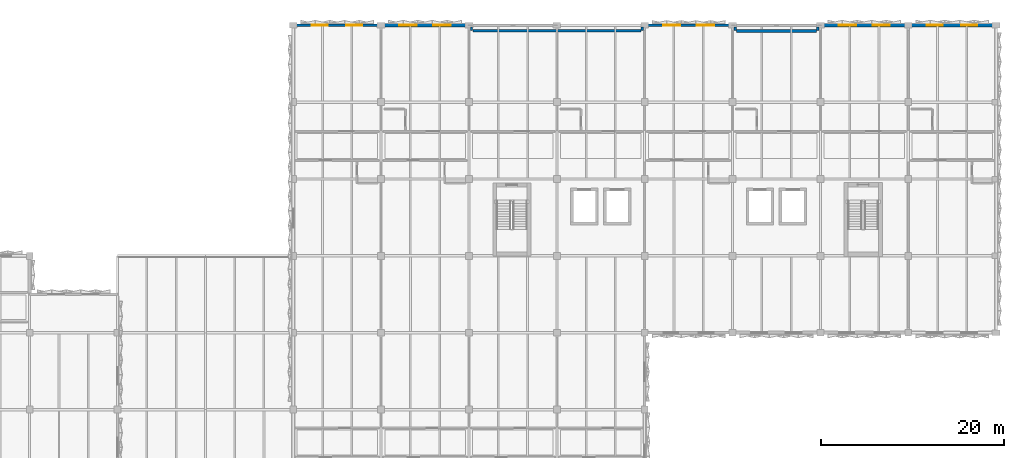
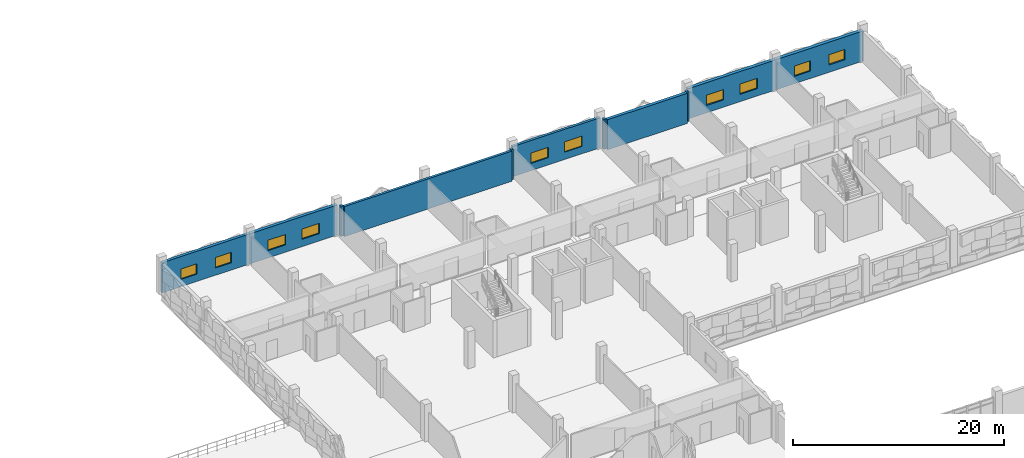
# One storey, part 67 of 86: 11 walls, 10 windows, 10 openings.
"""IFC4 building model written with IfcOpenShell, lengths in metres."""

from ifc_helpers import new_model, si_unit, direction, frame, frame_2d, origin, place, context, subcontext, project, spatial, rectangle, extrude, material, layer, layer_set, type_object, element, fill, save


model = new_model("IFC4")

# Units and contexts
model_context = context("Model", 3, precision=1e-05, world=origin(), true_north=direction((0.0, 1.0)))
body_context = subcontext(model_context, "Body", "Model", "MODEL_VIEW")
ifc_project = project(units=[si_unit("LENGTHUNIT", "METRE"), si_unit("AREAUNIT", "SQUARE_METRE"), si_unit("VOLUMEUNIT", "CUBIC_METRE"), si_unit("PLANEANGLEUNIT", "RADIAN"), si_unit("MASSUNIT", "GRAM", prefix="KILO")], contexts=[model_context])

# Site, building, storey
site_placement = place(None, origin())
site = spatial("IfcSite", under=ifc_project, at=site_placement, CompositionType="ELEMENT")
building_placement = place(site_placement, origin())
building = spatial("IfcBuilding", under=site, at=building_placement, Name="Oolite Switchyard Hospital", CompositionType="ELEMENT")
storey_placement = place(building_placement, frame((0.0, 0.0, 13.5)))
storey = spatial("IfcBuildingStorey", under=building, at=storey_placement, Name="L03", CompositionType="ELEMENT", Elevation=13.5)

# Walls
ifc_material_1 = material(Name="Precast oolitic limestone architectural concrete C40/50", Category="masonry")
ifc_layer_1 = layer(ifc_material_1, 0.260009765625)
ifc_layer_set_1 = layer_set([ifc_layer_1], Name="WAL-EXT-260")
wall_type_1 = type_object("IfcWallType", Name="WAL-EXT-260", PredefinedType="SOLIDWALL", material=ifc_layer_set_1)
for number, where, z_axis, x_axis, name in (
    (1, (153.8798828125, 134.199951171875, 0.0), (0.0, 0.0, 1.0), (0.0, -1.0, 0.0), "L03 Brace Alcove Cheek Wall 212"),
    (2, (172.52001953125, 134.199951171875, 0.0), (0.0, 0.0, 1.0), (0.0, -1.0, 0.0), "L03 Brace Alcove Cheek Wall 213"),
):
    element("IfcWall", number, at=place(storey_placement, frame(where, z_axis=z_axis, x_axis=x_axis)), inside=storey, type_object=wall_type_1, Name=name, PredefinedType="SOLIDWALL", context=body_context, shape_type="SweptSolid", body=[
        extrude(rectangle(XDim=0.35986328125, YDim=0.260009765625, at=frame_2d((0.179931640625, 0.0))), origin(), (0.0, 0.0, 1.0), 3.489990234375),
    ])
wall_1_placement = place(storey_placement, frame((154.02001953125, 133.780029296875, 0.0), z_axis=(0.0, 0.0, 1.0), x_axis=(1.0, 0.0, 0.0)))
element("IfcWall", 3, at=wall_1_placement, inside=storey, type_object=wall_type_1, Name="L03 Exterior Spandrel Wall 214", PredefinedType="SOLIDWALL", context=body_context, shape_type="SweptSolid", body=[
    extrude(rectangle(XDim=18.35986328125, YDim=0.260009765625, at=frame_2d((9.179931640625, 0.0))), origin(), (0.0, 0.0, 1.0), 3.489990234375),
])
for number, where, z_axis, x_axis, name in (
    (4, (182.679931640625, 134.199951171875, 0.0), (0.0, 0.0, 1.0), (0.0, -1.0, 0.0), "L03 Brace Alcove Cheek Wall 216"),
    (5, (191.719970703125, 134.199951171875, 0.0), (0.0, 0.0, 1.0), (0.0, -1.0, 0.0), "L03 Brace Alcove Cheek Wall 217"),
):
    element("IfcWall", number, at=place(storey_placement, frame(where, z_axis=z_axis, x_axis=x_axis)), inside=storey, type_object=wall_type_1, Name=name, PredefinedType="SOLIDWALL", context=body_context, shape_type="SweptSolid", body=[
        extrude(rectangle(XDim=0.35986328125, YDim=0.260009765625, at=frame_2d((0.179931640625, 0.0))), origin(), (0.0, 0.0, 1.0), 3.489990234375),
    ])

# Wall, openings, windows
ifc_layer_2 = layer(ifc_material_1, 0.280029296875)
ifc_layer_set_2 = layer_set([ifc_layer_2], Name="WAL-EXT-280")
wall_type_2 = type_object("IfcWallType", Name="WAL-EXT-280", PredefinedType="SOLIDWALL", material=ifc_layer_set_2)
wall_2_placement = place(storey_placement, frame((172.800048828125, 134.39990234375, 0.0), z_axis=(0.0, 0.0, 1.0), x_axis=(1.0, 0.0, 0.0)))
wall_2 = element("IfcWall", 6, at=wall_2_placement, inside=storey, type_object=wall_type_2, Name="L03 Exterior Spandrel Wall 215", PredefinedType="SOLIDWALL", context=body_context, shape_type="SweptSolid", body=[
    extrude(rectangle(XDim=9.599853515625, YDim=0.280029296875, at=frame_2d((4.7998046875, 0.0))), origin(), (0.0, 0.0, 1.0), 3.489990234375),
])
opening_1_placement = place(wall_2_placement, frame((2.001953125, 0.0, 0.85009765625)))
opening_1 = element("IfcOpeningElement", 7, at=opening_1_placement, cuts=wall_2, Name="Opening WN-0125", PredefinedType="OPENING", context=body_context, shape_type="SweptSolid", body=[
    extrude(rectangle(XDim=1.89990234375, YDim=1.199951171875, at=frame_2d((0.949951171875, 0.60009765625))), frame((0.0, 0.14990234375, 0.0), z_axis=(0.0, -1.0, 0.0), x_axis=(1.0, 0.0, 0.0)), (0.0, 0.0, 1.0), 0.300048828125),
])
opening_2_placement = place(wall_2_placement, frame((5.697998046875, 0.0, 0.85009765625)))
opening_2 = element("IfcOpeningElement", 8, at=opening_2_placement, cuts=wall_2, Name="Opening WN-0126", PredefinedType="OPENING", context=body_context, shape_type="SweptSolid", body=[
    extrude(rectangle(XDim=1.89990234375, YDim=1.199951171875, at=frame_2d((0.949951171875, 0.60009765625))), frame((0.0, 0.14990234375, 0.0), z_axis=(0.0, -1.0, 0.0), x_axis=(1.0, 0.0, 0.0)), (0.0, 0.0, 1.0), 0.300048828125),
])
ifc_material_2 = material(Name="Thermally broken aluminum frame with laminated impact glazing", Category="aluminium")
window_type_1 = type_object("IfcWindowType", Name="WIN-IMP-190X120", PartitioningType="SINGLE_PANEL", PredefinedType="WINDOW", material=ifc_material_2)
window_1_placement = place(opening_1_placement, origin())
window_1 = element("IfcWindow", 9, at=window_1_placement, inside=storey, type_object=window_type_1, Name="L03 Hurricane Impact Window WN-0125", OverallHeight=1.199951171875, OverallWidth=1.89990234375, PartitioningType="SINGLE_PANEL", PredefinedType="WINDOW", context=body_context, shape_type="SweptSolid", body=[
    extrude(rectangle(XDim=1.89990234375, YDim=1.199951171875, at=frame_2d((0.949951171875, 0.60009765625))), frame((0.0, 0.030029296875, 0.0), z_axis=(0.0, -1.0, 0.0), x_axis=(1.0, 0.0, 0.0)), (0.0, 0.0, 1.0), 0.06005859375),
])
fill(opening_1, window_1)
window_2_placement = place(opening_2_placement, origin())
window_2 = element("IfcWindow", 10, at=window_2_placement, inside=storey, type_object=window_type_1, Name="L03 Hurricane Impact Window WN-0126", OverallHeight=1.199951171875, OverallWidth=1.89990234375, PartitioningType="SINGLE_PANEL", PredefinedType="WINDOW", context=body_context, shape_type="SweptSolid", body=[
    extrude(rectangle(XDim=1.89990234375, YDim=1.199951171875, at=frame_2d((0.949951171875, 0.60009765625))), frame((0.0, 0.030029296875, 0.0), z_axis=(0.0, -1.0, 0.0), x_axis=(1.0, 0.0, 0.0)), (0.0, 0.0, 1.0), 0.06005859375),
])
fill(opening_2, window_2)

ifc_layer_3 = layer(ifc_material_1, 0.320068359375)
ifc_layer_set_3 = layer_set([ifc_layer_3], Name="WAL-EXT-320")
wall_type_3 = type_object("IfcWallType", Name="WAL-EXT-320", PredefinedType="SOLIDWALL", material=ifc_layer_set_3)
wall_3_placement = place(storey_placement, frame((134.39990234375, 134.39990234375, 0.0), z_axis=(0.0, 0.0, 1.0), x_axis=(1.0, 0.0, 0.0)))
wall_3 = element("IfcWall", 11, at=wall_3_placement, inside=storey, type_object=wall_type_3, Name="L03 Exterior Spandrel Wall 210", PredefinedType="SOLIDWALL", context=body_context, shape_type="SweptSolid", body=[
    extrude(rectangle(XDim=9.60009765625, YDim=0.320068359375, at=frame_2d((4.800048828125, 0.0))), origin(), (0.0, 0.0, 1.0), 3.489990234375),
])
opening_3_placement = place(wall_3_placement, frame((2.041015625, 0.0, 0.85009765625)))
opening_3 = element("IfcOpeningElement", 12, at=opening_3_placement, cuts=wall_3, Name="Opening WN-0121", PredefinedType="OPENING", context=body_context, shape_type="SweptSolid", body=[
    extrude(rectangle(XDim=1.75, YDim=1.199951171875, at=frame_2d((0.875, 0.60009765625))), frame((0.0, 0.169921875, 0.0), z_axis=(0.0, -1.0, 0.0), x_axis=(1.0, 0.0, 0.0)), (0.0, 0.0, 1.0), 0.340087890625),
])
opening_4_placement = place(wall_3_placement, frame((5.80908203125, 0.0, 0.85009765625)))
opening_4 = element("IfcOpeningElement", 13, at=opening_4_placement, cuts=wall_3, Name="Opening WN-0122", PredefinedType="OPENING", context=body_context, shape_type="SweptSolid", body=[
    extrude(rectangle(XDim=1.75, YDim=1.199951171875, at=frame_2d((0.875, 0.60009765625))), frame((0.0, 0.169921875, 0.0), z_axis=(0.0, -1.0, 0.0), x_axis=(1.0, 0.0, 0.0)), (0.0, 0.0, 1.0), 0.340087890625),
])
window_type_2 = type_object("IfcWindowType", Name="WIN-IMP-175X120", PartitioningType="SINGLE_PANEL", PredefinedType="WINDOW", material=ifc_material_2)
window_3_placement = place(opening_3_placement, origin())
window_3 = element("IfcWindow", 14, at=window_3_placement, inside=storey, type_object=window_type_2, Name="L03 Hurricane Impact Window WN-0121", OverallHeight=1.199951171875, OverallWidth=1.75, PartitioningType="SINGLE_PANEL", PredefinedType="WINDOW", context=body_context, shape_type="SweptSolid", body=[
    extrude(rectangle(XDim=1.75, YDim=1.199951171875, at=frame_2d((0.875, 0.60009765625))), frame((0.0, 0.030029296875, 0.0), z_axis=(0.0, -1.0, 0.0), x_axis=(1.0, 0.0, 0.0)), (0.0, 0.0, 1.0), 0.06005859375),
])
fill(opening_3, window_3)
window_4_placement = place(opening_4_placement, origin())
window_4 = element("IfcWindow", 15, at=window_4_placement, inside=storey, type_object=window_type_2, Name="L03 Hurricane Impact Window WN-0122", OverallHeight=1.199951171875, OverallWidth=1.75, PartitioningType="SINGLE_PANEL", PredefinedType="WINDOW", context=body_context, shape_type="SweptSolid", body=[
    extrude(rectangle(XDim=1.75, YDim=1.199951171875, at=frame_2d((0.875, 0.60009765625))), frame((0.0, 0.030029296875, 0.0), z_axis=(0.0, -1.0, 0.0), x_axis=(1.0, 0.0, 0.0)), (0.0, 0.0, 1.0), 0.06005859375),
])
fill(opening_4, window_4)

ifc_layer_4 = layer(ifc_material_1, 0.340087890625)
ifc_layer_set_4 = layer_set([ifc_layer_4], Name="WAL-EXT-340")
wall_type_4 = type_object("IfcWallType", Name="WAL-EXT-340", PredefinedType="SOLIDWALL", material=ifc_layer_set_4)
wall_4_placement = place(storey_placement, frame((144.0, 134.39990234375, 0.0), z_axis=(0.0, 0.0, 1.0), x_axis=(1.0, 0.0, 0.0)))
wall_4 = element("IfcWall", 16, at=wall_4_placement, inside=storey, type_object=wall_type_4, Name="L03 Exterior Spandrel Wall 211", PredefinedType="SOLIDWALL", context=body_context, shape_type="SweptSolid", body=[
    extrude(rectangle(XDim=9.60009765625, YDim=0.340087890625, at=frame_2d((4.800048828125, 0.0))), origin(), (0.0, 0.0, 1.0), 3.489990234375),
])
opening_5_placement = place(wall_4_placement, frame((2.001953125, 0.0, 0.85009765625)))
opening_5 = element("IfcOpeningElement", 17, at=opening_5_placement, cuts=wall_4, Name="Opening WN-0123", PredefinedType="OPENING", context=body_context, shape_type="SweptSolid", body=[
    extrude(rectangle(XDim=1.89990234375, YDim=1.199951171875, at=frame_2d((0.949951171875, 0.60009765625))), frame((0.0, 0.18017578125, 0.0), z_axis=(0.0, -1.0, 0.0), x_axis=(1.0, 0.0, 0.0)), (0.0, 0.0, 1.0), 0.360107421875),
])
opening_6_placement = place(wall_4_placement, frame((5.697998046875, 0.0, 0.85009765625)))
opening_6 = element("IfcOpeningElement", 18, at=opening_6_placement, cuts=wall_4, Name="Opening WN-0124", PredefinedType="OPENING", context=body_context, shape_type="SweptSolid", body=[
    extrude(rectangle(XDim=1.89990234375, YDim=1.199951171875, at=frame_2d((0.949951171875, 0.60009765625))), frame((0.0, 0.18017578125, 0.0), z_axis=(0.0, -1.0, 0.0), x_axis=(1.0, 0.0, 0.0)), (0.0, 0.0, 1.0), 0.360107421875),
])
window_5_placement = place(opening_5_placement, origin())
window_5 = element("IfcWindow", 19, at=window_5_placement, inside=storey, type_object=window_type_1, Name="L03 Hurricane Impact Window WN-0123", OverallHeight=1.199951171875, OverallWidth=1.89990234375, PartitioningType="SINGLE_PANEL", PredefinedType="WINDOW", context=body_context, shape_type="SweptSolid", body=[
    extrude(rectangle(XDim=1.89990234375, YDim=1.199951171875, at=frame_2d((0.949951171875, 0.60009765625))), frame((0.0, 0.030029296875, 0.0), z_axis=(0.0, -1.0, 0.0), x_axis=(1.0, 0.0, 0.0)), (0.0, 0.0, 1.0), 0.06005859375),
])
fill(opening_5, window_5)
window_6_placement = place(opening_6_placement, origin())
window_6 = element("IfcWindow", 20, at=window_6_placement, inside=storey, type_object=window_type_1, Name="L03 Hurricane Impact Window WN-0124", OverallHeight=1.199951171875, OverallWidth=1.89990234375, PartitioningType="SINGLE_PANEL", PredefinedType="WINDOW", context=body_context, shape_type="SweptSolid", body=[
    extrude(rectangle(XDim=1.89990234375, YDim=1.199951171875, at=frame_2d((0.949951171875, 0.60009765625))), frame((0.0, 0.030029296875, 0.0), z_axis=(0.0, -1.0, 0.0), x_axis=(1.0, 0.0, 0.0)), (0.0, 0.0, 1.0), 0.06005859375),
])
fill(opening_6, window_6)

# Wall
wall_5_placement = place(storey_placement, frame((182.820068359375, 133.780029296875, 0.0), z_axis=(0.0, 0.0, 1.0), x_axis=(1.0, 0.0, 0.0)))
element("IfcWall", 21, at=wall_5_placement, inside=storey, type_object=wall_type_4, Name="L03 Exterior Spandrel Wall 218", PredefinedType="SOLIDWALL", context=body_context, shape_type="SweptSolid", body=[
    extrude(rectangle(XDim=8.760009765625, YDim=0.340087890625, at=frame_2d((4.3798828125, 0.0))), origin(), (0.0, 0.0, 1.0), 3.489990234375),
])

# Wall, openings, windows
ifc_layer_5 = layer(ifc_material_1, 0.360107421875)
ifc_layer_set_5 = layer_set([ifc_layer_5], Name="WAL-EXT-360")
wall_type_5 = type_object("IfcWallType", Name="WAL-EXT-360", PredefinedType="SOLIDWALL", material=ifc_layer_set_5)
wall_6_placement = place(storey_placement, frame((192.0, 134.39990234375, 0.0), z_axis=(0.0, 0.0, 1.0), x_axis=(1.0, 0.0, 0.0)))
wall_6 = element("IfcWall", 22, at=wall_6_placement, inside=storey, type_object=wall_type_5, Name="L03 Exterior Spandrel Wall 219", PredefinedType="SOLIDWALL", context=body_context, shape_type="SweptSolid", body=[
    extrude(rectangle(XDim=9.60009765625, YDim=0.360107421875, at=frame_2d((4.800048828125, 0.0))), origin(), (0.0, 0.0, 1.0), 3.489990234375),
])
opening_7_placement = place(wall_6_placement, frame((2.001953125, 0.0, 0.85009765625)))
opening_7 = element("IfcOpeningElement", 23, at=opening_7_placement, cuts=wall_6, Name="Opening WN-0127", PredefinedType="OPENING", context=body_context, shape_type="SweptSolid", body=[
    extrude(rectangle(XDim=1.89990234375, YDim=1.199951171875, at=frame_2d((0.949951171875, 0.60009765625))), frame((0.0, 0.18994140625, 0.0), z_axis=(0.0, -1.0, 0.0), x_axis=(1.0, 0.0, 0.0)), (0.0, 0.0, 1.0), 0.380126953125),
])
opening_8_placement = place(wall_6_placement, frame((5.697998046875, 0.0, 0.85009765625)))
opening_8 = element("IfcOpeningElement", 24, at=opening_8_placement, cuts=wall_6, Name="Opening WN-0128", PredefinedType="OPENING", context=body_context, shape_type="SweptSolid", body=[
    extrude(rectangle(XDim=1.89990234375, YDim=1.199951171875, at=frame_2d((0.949951171875, 0.60009765625))), frame((0.0, 0.18994140625, 0.0), z_axis=(0.0, -1.0, 0.0), x_axis=(1.0, 0.0, 0.0)), (0.0, 0.0, 1.0), 0.380126953125),
])
window_7_placement = place(opening_7_placement, origin())
window_7 = element("IfcWindow", 25, at=window_7_placement, inside=storey, type_object=window_type_1, Name="L03 Hurricane Impact Window WN-0127", OverallHeight=1.199951171875, OverallWidth=1.89990234375, PartitioningType="SINGLE_PANEL", PredefinedType="WINDOW", context=body_context, shape_type="SweptSolid", body=[
    extrude(rectangle(XDim=1.89990234375, YDim=1.199951171875, at=frame_2d((0.949951171875, 0.60009765625))), frame((0.0, 0.030029296875, 0.0), z_axis=(0.0, -1.0, 0.0), x_axis=(1.0, 0.0, 0.0)), (0.0, 0.0, 1.0), 0.06005859375),
])
fill(opening_7, window_7)
window_8_placement = place(opening_8_placement, origin())
window_8 = element("IfcWindow", 26, at=window_8_placement, inside=storey, type_object=window_type_1, Name="L03 Hurricane Impact Window WN-0128", OverallHeight=1.199951171875, OverallWidth=1.89990234375, PartitioningType="SINGLE_PANEL", PredefinedType="WINDOW", context=body_context, shape_type="SweptSolid", body=[
    extrude(rectangle(XDim=1.89990234375, YDim=1.199951171875, at=frame_2d((0.949951171875, 0.60009765625))), frame((0.0, 0.030029296875, 0.0), z_axis=(0.0, -1.0, 0.0), x_axis=(1.0, 0.0, 0.0)), (0.0, 0.0, 1.0), 0.06005859375),
])
fill(opening_8, window_8)

ifc_layer_6 = layer(ifc_material_1, 0.3798828125)
ifc_layer_set_6 = layer_set([ifc_layer_6], Name="WAL-EXT-380")
wall_type_6 = type_object("IfcWallType", Name="WAL-EXT-380", PredefinedType="SOLIDWALL", material=ifc_layer_set_6)
wall_7_placement = place(storey_placement, frame((201.60009765625, 134.39990234375, 0.0), z_axis=(0.0, 0.0, 1.0), x_axis=(1.0, 0.0, 0.0)))
wall_7 = element("IfcWall", 27, at=wall_7_placement, inside=storey, type_object=wall_type_6, Name="L03 Exterior Spandrel Wall 220", PredefinedType="SOLIDWALL", context=body_context, shape_type="SweptSolid", body=[
    extrude(rectangle(XDim=9.599853515625, YDim=0.3798828125, at=frame_2d((4.7998046875, 0.0))), origin(), (0.0, 0.0, 1.0), 3.489990234375),
])
opening_9_placement = place(wall_7_placement, frame((2.041015625, 0.0, 0.85009765625)))
opening_9 = element("IfcOpeningElement", 28, at=opening_9_placement, cuts=wall_7, Name="Opening WN-0129", PredefinedType="OPENING", context=body_context, shape_type="SweptSolid", body=[
    extrude(rectangle(XDim=1.75, YDim=1.199951171875, at=frame_2d((0.875, 0.60009765625))), frame((0.0, 0.199951171875, 0.0), z_axis=(0.0, -1.0, 0.0), x_axis=(1.0, 0.0, 0.0)), (0.0, 0.0, 1.0), 0.39990234375),
])
opening_10_placement = place(wall_7_placement, frame((5.80908203125, 0.0, 0.85009765625)))
opening_10 = element("IfcOpeningElement", 29, at=opening_10_placement, cuts=wall_7, Name="Opening WN-0130", PredefinedType="OPENING", context=body_context, shape_type="SweptSolid", body=[
    extrude(rectangle(XDim=1.75, YDim=1.199951171875, at=frame_2d((0.875, 0.60009765625))), frame((0.0, 0.199951171875, 0.0), z_axis=(0.0, -1.0, 0.0), x_axis=(1.0, 0.0, 0.0)), (0.0, 0.0, 1.0), 0.39990234375),
])
window_9_placement = place(opening_9_placement, origin())
window_9 = element("IfcWindow", 30, at=window_9_placement, inside=storey, type_object=window_type_2, Name="L03 Hurricane Impact Window WN-0129", OverallHeight=1.199951171875, OverallWidth=1.75, PartitioningType="SINGLE_PANEL", PredefinedType="WINDOW", context=body_context, shape_type="SweptSolid", body=[
    extrude(rectangle(XDim=1.75, YDim=1.199951171875, at=frame_2d((0.875, 0.60009765625))), frame((0.0, 0.030029296875, 0.0), z_axis=(0.0, -1.0, 0.0), x_axis=(1.0, 0.0, 0.0)), (0.0, 0.0, 1.0), 0.06005859375),
])
fill(opening_9, window_9)
window_10_placement = place(opening_10_placement, origin())
window_10 = element("IfcWindow", 31, at=window_10_placement, inside=storey, type_object=window_type_2, Name="L03 Hurricane Impact Window WN-0130", OverallHeight=1.199951171875, OverallWidth=1.75, PartitioningType="SINGLE_PANEL", PredefinedType="WINDOW", context=body_context, shape_type="SweptSolid", body=[
    extrude(rectangle(XDim=1.75, YDim=1.199951171875, at=frame_2d((0.875, 0.60009765625))), frame((0.0, 0.030029296875, 0.0), z_axis=(0.0, -1.0, 0.0), x_axis=(1.0, 0.0, 0.0)), (0.0, 0.0, 1.0), 0.06005859375),
])
fill(opening_10, window_10)

save(model, "model.ifc")
